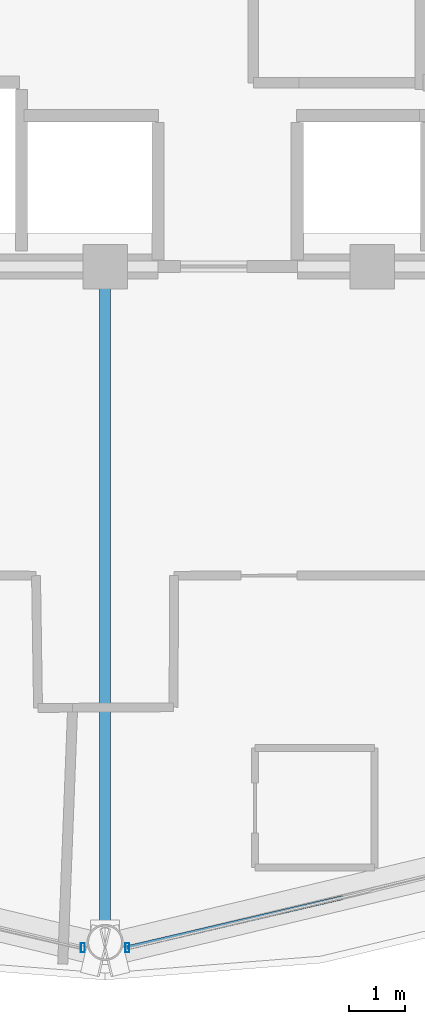
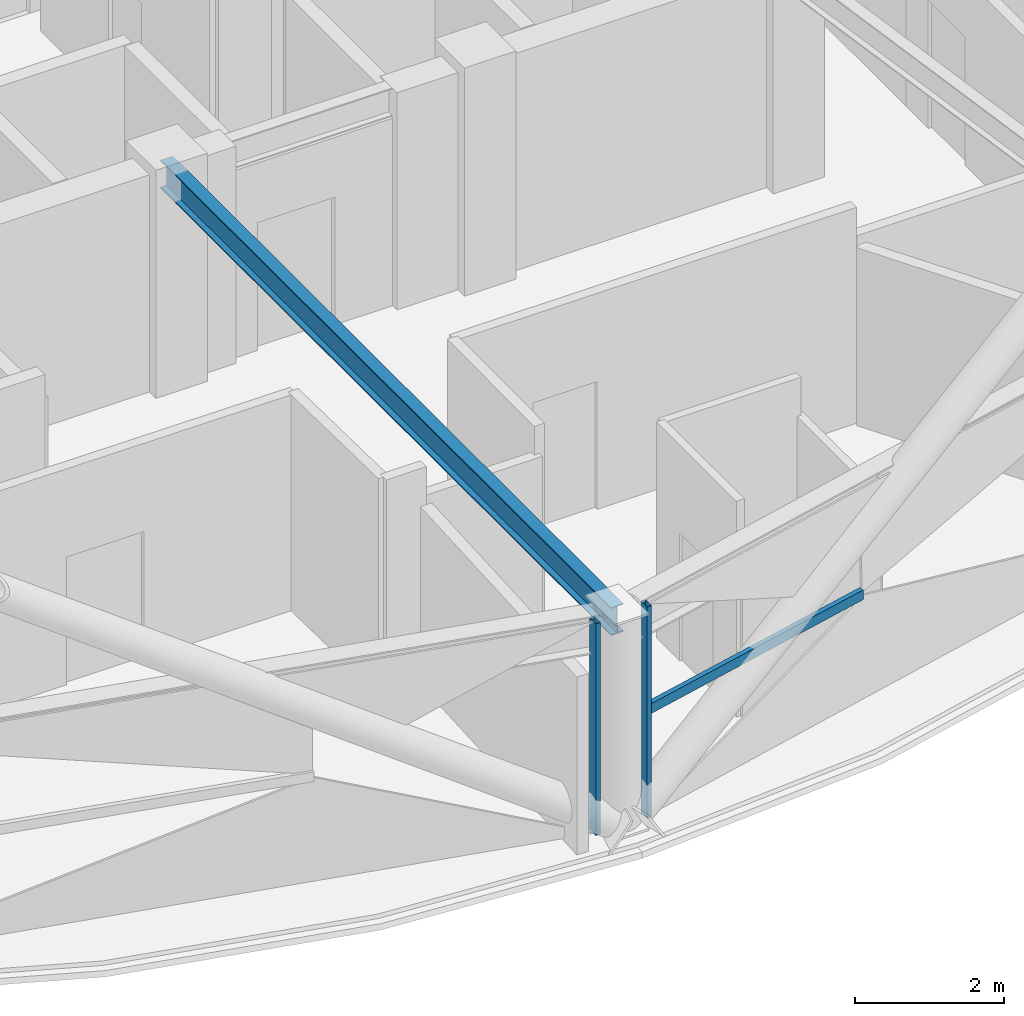
# One storey, part 5 of 29: 3 members, 1 beam, 2 elements without a shape of their own.
"""IFC4 building model written with IfcOpenShell, lengths in metres."""

import ifcopenshell
import ifcopenshell.guid

model = None  # the IFC model being written
_history = None  # IfcOwnerHistory: only IFC2X3 demands one
_inside = {}  # id of a spatial element -> (the spatial element, [elements in it])
_under = {}  # id of a project, library or spatial element -> (it, [spatial elements below it])
_declared = {}  # id of a project -> (the project, [libraries it declares])
_typed = {}  # id of a type object -> (the type object, [elements of that type])
_made_of = {}  # id of a material, layer set ... -> (it, [elements and type objects made of it])


def new_model(schema):
    """Start an empty IFC model of exactly this schema.

    Asked for "IFC4X3", IfcOpenShell would pick the latest addendum, in which some entities
    have other attributes; the version numbers below select the first issue.
    IFC2X3 requires an IfcOwnerHistory on every rooted entity: one is made here for all.
    """
    global model, _history
    if schema == "IFC4X3":
        model = ifcopenshell.file(schema_version=(4, 3, 0, 0))
    else:
        model = ifcopenshell.file(schema=schema)
    _inside.clear()
    _under.clear()
    _declared.clear()
    _typed.clear()
    _made_of.clear()
    _history = None
    if model.schema == "IFC2X3":
        org = make("IfcOrganization", Name="unknown")
        user = make(
            "IfcPersonAndOrganization",
            ThePerson=make("IfcPerson", FamilyName="unknown"),
            TheOrganization=org,
        )
        app = make(
            "IfcApplication",
            ApplicationDeveloper=org,
            Version="unknown",
            ApplicationFullName="unknown",
            ApplicationIdentifier="unknown",
        )
        _history = make(
            "IfcOwnerHistory",
            OwningUser=user,
            OwningApplication=app,
            ChangeAction="ADDED",
            CreationDate=0,
        )
    return model


def make(cls, **values):
    """One entity of the class cls with the attributes given. An attribute that is None is left unset."""
    return model.create_entity(
        cls, **{name: value for name, value in values.items() if value is not None}
    )


def rooted(cls, **values):
    """An entity with a GlobalId (a new one), such as an element, a storey or a relation."""
    return make(cls, GlobalId=ifcopenshell.guid.new(), OwnerHistory=_history, **values)


def si_unit(unit_type, name, prefix=None):
    """IfcSIUnit, for example si_unit("LENGTHUNIT", "METRE", prefix="MILLI")."""
    return make("IfcSIUnit", UnitType=unit_type, Prefix=prefix, Name=name)


def assignment(units):
    """IfcUnitAssignment: the units of a project."""
    return None if units is None else make("IfcUnitAssignment", Units=units)


def point(xyz):
    """IfcCartesianPoint."""
    return None if xyz is None else make("IfcCartesianPoint", Coordinates=xyz)


def direction(xyz):
    """IfcDirection."""
    return None if xyz is None else make("IfcDirection", DirectionRatios=xyz)


def frame(location, z_axis=None, x_axis=None):
    """IfcAxis2Placement3D, a coordinate frame: its origin and axes. An axis left out is left unset."""
    return make(
        "IfcAxis2Placement3D",
        Location=point(location),
        Axis=direction(z_axis),
        RefDirection=direction(x_axis),
    )


def frame_2d(location, x_axis=None):
    """IfcAxis2Placement2D, a coordinate frame in the plane: its origin and x axis."""
    return make(
        "IfcAxis2Placement2D", Location=point(location), RefDirection=direction(x_axis)
    )


def origin():
    """The frame at (0, 0, 0) with its axes left unset."""
    return frame((0.0, 0.0, 0.0))


def origin_2d():
    """The frame at (0, 0) in the plane with its x axis left unset."""
    return frame_2d((0.0, 0.0))


def place(relative_to, where):
    """IfcLocalPlacement: puts the frame where relative to a parent placement (None: the world)."""
    return make(
        "IfcLocalPlacement", PlacementRelTo=relative_to, RelativePlacement=where
    )


def context(
    kind, dimensions, precision=None, world=None, true_north=None, identifier=None
):
    """IfcGeometricRepresentationContext, for example the 3D "Model" context."""
    return make(
        "IfcGeometricRepresentationContext",
        ContextIdentifier=identifier,
        ContextType=kind,
        CoordinateSpaceDimension=dimensions,
        Precision=precision,
        WorldCoordinateSystem=world,
        TrueNorth=true_north,
    )


def subcontext(parent, identifier, kind, view, scale=None):
    """IfcGeometricRepresentationSubContext, for example "Body" below "Model"."""
    return make(
        "IfcGeometricRepresentationSubContext",
        ContextIdentifier=identifier,
        ContextType=kind,
        ParentContext=parent,
        TargetScale=scale,
        TargetView=view,
    )


def project(units=None, contexts=None):
    """IfcProject with its units and contexts."""
    return rooted(
        "IfcProject",
        Name="project",
        RepresentationContexts=contexts,
        UnitsInContext=assignment(units),
    )


def spatial(cls, under=None, at=None, **own):
    """A site, building, storey or space (cls), placed at a placement, below another one or the project."""
    s = rooted(cls, ObjectPlacement=at, **own)
    if under is not None:
        _under.setdefault(under.id(), (under, []))[1].append(s)
    return s


def profile(cls, at=None, kind="AREA", **sizes):
    """A parametric profile (cls). Its sizes go by their IFC names, for example OverallWidth=200.0."""
    return make(cls, ProfileType=kind, Position=at, **sizes)


def hollow_rectangle(**sizes):
    """IfcRectangleHollowProfileDef."""
    return profile("IfcRectangleHollowProfileDef", **sizes)


def i_section(**sizes):
    """IfcIShapeProfileDef."""
    return profile("IfcIShapeProfileDef", **sizes)


def extrude(swept, where, along, depth):
    """IfcExtrudedAreaSolid: the profile swept, set in the frame where, extruded along a direction by depth."""
    return make(
        "IfcExtrudedAreaSolid",
        SweptArea=swept,
        Position=where,
        ExtrudedDirection=direction(along),
        Depth=depth,
    )


def shape(context_of_items, identifier, shape_type, items):
    """IfcShapeRepresentation: the items that make up one representation, for example the "Body"."""
    return make(
        "IfcShapeRepresentation",
        ContextOfItems=context_of_items,
        RepresentationIdentifier=identifier,
        RepresentationType=shape_type,
        Items=items,
    )


def material(Name=None, Category=None):
    """IfcMaterial."""
    return make("IfcMaterial", Name=Name, Category=Category)


def layer(
    of_material, thickness, ventilated=None, Name=None, Category=None, Priority=None
):
    """IfcMaterialLayer: one layer of a wall or slab, of a material (None: an air gap)."""
    return make(
        "IfcMaterialLayer",
        Material=of_material,
        LayerThickness=thickness,
        IsVentilated=ventilated,
        Name=Name,
        Category=Category,
        Priority=Priority,
    )


def layer_set(layers, Name=None):
    """IfcMaterialLayerSet."""
    return make("IfcMaterialLayerSet", MaterialLayers=layers, LayerSetName=Name)


def material_profile(
    of_material, cross_section, Name=None, Category=None, Priority=None
):
    """IfcMaterialProfile: a cross section and its material."""
    return make(
        "IfcMaterialProfile",
        Name=Name,
        Material=of_material,
        Profile=cross_section,
        Priority=Priority,
        Category=Category,
    )


def profile_set(profiles, Name=None, composite=None):
    """IfcMaterialProfileSet."""
    return make(
        "IfcMaterialProfileSet",
        Name=Name,
        MaterialProfiles=profiles,
        CompositeProfile=composite,
    )


def made_of(thing, what):
    """Note that an element or type object is made of a material, layer set ...; save() writes the relation."""
    if what is not None:
        _made_of.setdefault(what.id(), (what, []))[1].append(thing)
    return thing


def type_object(cls, material=None, **own):
    """A type object (cls), such as IfcWallType, which elements share."""
    return made_of(rooted(cls, **own), material)


def element(
    cls,
    number,
    at=None,
    inside=None,
    cuts=None,
    type_object=None,
    material=None,
    context=None,
    identifier="Body",
    shape_type=None,
    held_by="IfcProductDefinitionShape",
    body=None,
    shapes=None,
    **own,
):
    """One element of the class cls, such as IfcWall. Its Tag is "e" and its number.

    at: its placement. inside: the storey or other place that contains it. cuts: it is an
    opening in that element (IfcRelVoidsElement). A single representation is given by context,
    identifier, shape_type and body (its items); several are given by shapes. held_by: the class
    of the entity that holds the representations. save() writes the other relations.
    """
    e = rooted(cls, Tag="e%d" % number, ObjectPlacement=at, **own)
    if body is not None:
        shapes = [shape(context, identifier, shape_type, body)]
    if shapes is not None:
        e.Representation = make(held_by, Representations=shapes)
    if inside is not None:
        _inside.setdefault(inside.id(), (inside, []))[1].append(e)
    if cuts is not None:
        rooted(
            "IfcRelVoidsElement", RelatingBuildingElement=cuts, RelatedOpeningElement=e
        )
    if type_object is not None:
        _typed.setdefault(type_object.id(), (type_object, []))[1].append(e)
    return made_of(e, material)


def aggregate(whole, parts):
    """IfcRelAggregates: a whole, such as a stair, and the parts it consists of."""
    return rooted("IfcRelAggregates", RelatingObject=whole, RelatedObjects=parts)


def save(model, path):
    """Write the relations noted so far, then the file.

    IfcRelAggregates (storeys below a building ...), IfcRelContainedInSpatialStructure (elements
    in a storey), IfcRelDefinesByType, IfcRelAssociatesMaterial and IfcRelDeclares: one each for
    every whole, place, type object, material and project.
    """
    for whole, parts in _under.values():
        aggregate(whole, parts)
    for where, things in _inside.values():
        rooted(
            "IfcRelContainedInSpatialStructure",
            RelatedElements=things,
            RelatingStructure=where,
        )
    for kind, things in _typed.values():
        rooted("IfcRelDefinesByType", RelatedObjects=things, RelatingType=kind)
    for what, things in _made_of.values():
        rooted("IfcRelAssociatesMaterial", RelatedObjects=things, RelatingMaterial=what)
    for by, libraries in _declared.values():
        rooted("IfcRelDeclares", RelatingContext=by, RelatedDefinitions=libraries)
    model.write(path)


model = new_model("IFC4")

# Units and contexts
model_context = context("Model", 3, precision=1e-05, world=origin(), true_north=direction((0.0, 1.0)))
body_context = subcontext(model_context, "Body", "Model", "MODEL_VIEW")
ifc_project = project(units=[si_unit("LENGTHUNIT", "METRE"), si_unit("AREAUNIT", "SQUARE_METRE"), si_unit("VOLUMEUNIT", "CUBIC_METRE"), si_unit("PLANEANGLEUNIT", "RADIAN"), si_unit("MASSUNIT", "GRAM", prefix="KILO")], contexts=[model_context])

# Site, building, storey
site_placement = place(None, origin())
site = spatial("IfcSite", under=ifc_project, at=site_placement, CompositionType="ELEMENT")
building_placement = place(site_placement, origin())
building = spatial("IfcBuilding", under=site, at=building_placement, Name="Vantalir Tower", CompositionType="ELEMENT")
storey_placement = place(building_placement, frame((0.0, 0.0, 234.89990234375)))
storey = spatial("IfcBuildingStorey", under=building, at=storey_placement, Name="L59", CompositionType="ELEMENT", Elevation=234.89990234375)

# Beam
ifc_material_1 = material(Name="Steel S355", Category="steel")
ifc_material_profile_1 = material_profile(ifc_material_1, i_section(OverallWidth=0.19189453125, OverallDepth=0.462890625, WebThickness=0.010498046875, FlangeThickness=0.017578125, at=origin_2d()), Name="Steel S355")
ifc_profile_set_1 = profile_set([ifc_material_profile_1], Name="Steel S355")
beam_type = type_object("IfcBeamType", Name="BM-RB-457x191", PredefinedType="BEAM", material=ifc_profile_set_1)
beam_placement = place(storey_placement, frame((31.5, 5.6669921875, 3.338134765625), z_axis=(0.0, 1.0, 0.0), x_axis=(-1.0, 0.0, 0.0)))
element("IfcBeam", 1, at=beam_placement, inside=storey, type_object=beam_type, Name="L59 Radial Floor Beam 10", PredefinedType="BEAM", context=body_context, shape_type="SweptSolid", body=[
    extrude(i_section(OverallWidth=0.19189453125, OverallDepth=0.462890625, WebThickness=0.010498046875, FlangeThickness=0.017578125, at=origin_2d()), origin(), (0.0, 0.0, 1.0), 12.133056640625),
])

# Curtain wall, member
ifc_material_2 = material(Name="Champagne-silver PVDF aluminium and double-silver Low-E glass", Category="aluminium")
ifc_layer = layer(ifc_material_2, 0.2099609375)
ifc_layer_set = layer_set([ifc_layer], Name="Champagne-silver PVDF aluminium and double-silver Low-E glass")
curtain_wall_type = type_object("IfcCurtainWallType", Name="CW-DIAMOND-Z3", PredefinedType="USERDEFINED", material=ifc_layer_set)
curtain_wall_1_placement = place(storey_placement, origin())
curtain_wall_1 = element("IfcCurtainWall", 2, at=curtain_wall_1_placement, inside=storey, type_object=curtain_wall_type, Name="L59 Quilted Pyramid-Diamond Curtain Wall S09", ObjectType="UNITISED CURTAIN WALL", PredefinedType="USERDEFINED")
ifc_material_3 = material(Name="Champagne-silver PVDF aluminium 6063-T6", Category="aluminium")
ifc_material_profile_2 = material_profile(ifc_material_3, hollow_rectangle(XDim=0.070068359375, YDim=0.1650390625, WallThickness=0.00390625, at=origin_2d()), Name="Champagne-silver PVDF aluminium 6063-T6")
ifc_profile_set_2 = profile_set([ifc_material_profile_2], Name="Champagne-silver PVDF aluminium 6063-T6")
member_type_1 = type_object("IfcMemberType", Name="CWM-165x70", PredefinedType="MULLION", material=ifc_profile_set_2)
member_1_placement = place(storey_placement, frame((31.10107421875, 5.572021484375, 0.045166015625), z_axis=(0.0, 0.0, 1.0), x_axis=(1.0, 0.0, 0.0)))
member_1 = element("IfcMember", 3, at=member_1_placement, type_object=member_type_1, Name="CW-L59-S09 Mullion 2", PredefinedType="MULLION", context=body_context, shape_type="SweptSolid", body=[
    extrude(hollow_rectangle(XDim=0.070068359375, YDim=0.1650390625, WallThickness=0.00390625, at=origin_2d()), origin(), (0.0, 0.0, 1.0), 3.47998046875),
])
aggregate(curtain_wall_1, [member_1])

# Curtain wall, members
curtain_wall_2_placement = place(storey_placement, origin())
curtain_wall_2 = element("IfcCurtainWall", 4, at=curtain_wall_2_placement, inside=storey, type_object=curtain_wall_type, Name="L59 Quilted Pyramid-Diamond Curtain Wall S10", ObjectType="UNITISED CURTAIN WALL", PredefinedType="USERDEFINED")
member_2_placement = place(storey_placement, frame((31.89892578125, 5.572021484375, 0.045166015625), z_axis=(0.0, 0.0, 1.0), x_axis=(1.0, 0.0, 0.0)))
member_2 = element("IfcMember", 5, at=member_2_placement, type_object=member_type_1, Name="CW-L59-S10 Mullion 1", PredefinedType="MULLION", context=body_context, shape_type="SweptSolid", body=[
    extrude(hollow_rectangle(XDim=0.070068359375, YDim=0.1650390625, WallThickness=0.00390625, at=origin_2d()), origin(), (0.0, 0.0, 1.0), 3.47998046875),
])
ifc_material_profile_3 = material_profile(ifc_material_3, hollow_rectangle(XDim=0.074951171875, YDim=0.159912109375, WallThickness=0.00390625, at=origin_2d()), Name="Champagne-silver PVDF aluminium 6063-T6")
ifc_profile_set_3 = profile_set([ifc_material_profile_3], Name="Champagne-silver PVDF aluminium 6063-T6")
member_type_2 = type_object("IfcMemberType", Name="CWT-160x75", PredefinedType="USERDEFINED", material=ifc_profile_set_3)
member_3_placement = place(storey_placement, frame((31.89892578125, 5.572021484375, 1.78515625), z_axis=(0.974002975998, 0.226535213039, 0.0), x_axis=(-0.226535213039, 0.974002975998, 0.0)))
member_3 = element("IfcMember", 6, at=member_3_placement, type_object=member_type_2, Name="CW-L59-S10 Pyramid Fold Ridge Transom", ObjectType="TRANSOM", PredefinedType="USERDEFINED", context=body_context, shape_type="SweptSolid", body=[
    extrude(hollow_rectangle(XDim=0.074951171875, YDim=0.159912109375, WallThickness=0.00390625, at=origin_2d()), origin(), (0.0, 0.0, 1.0), 3.96826171875),
])
aggregate(curtain_wall_2, [member_2, member_3])

save(model, "model.ifc")
